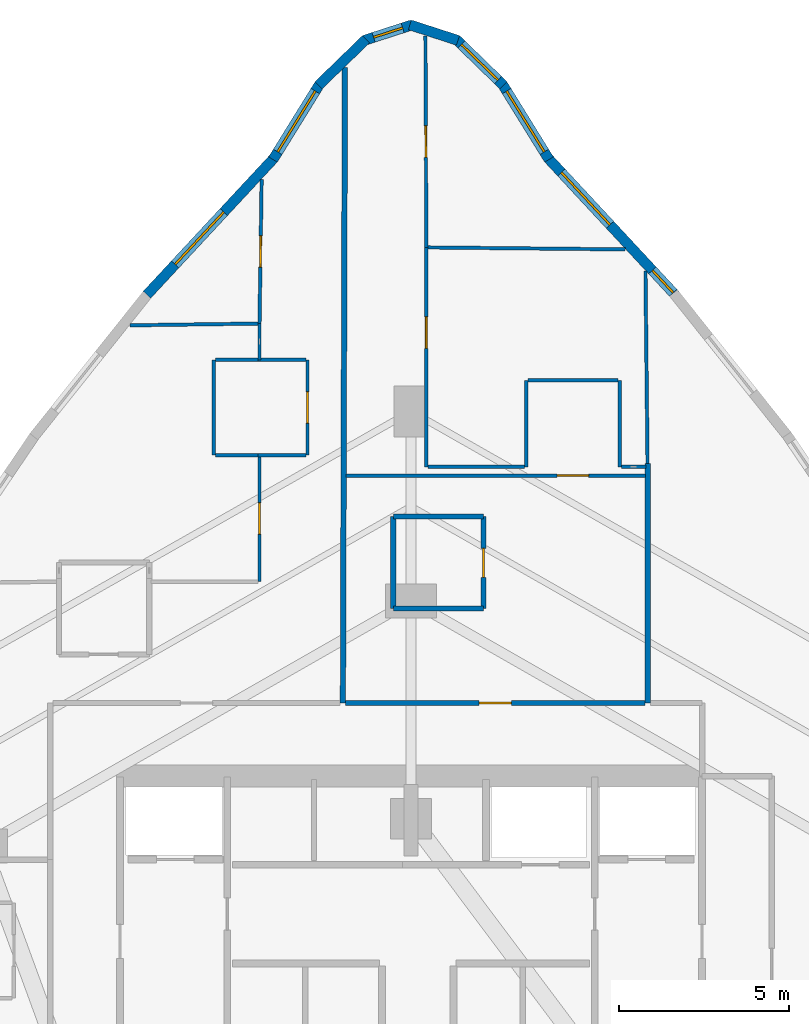
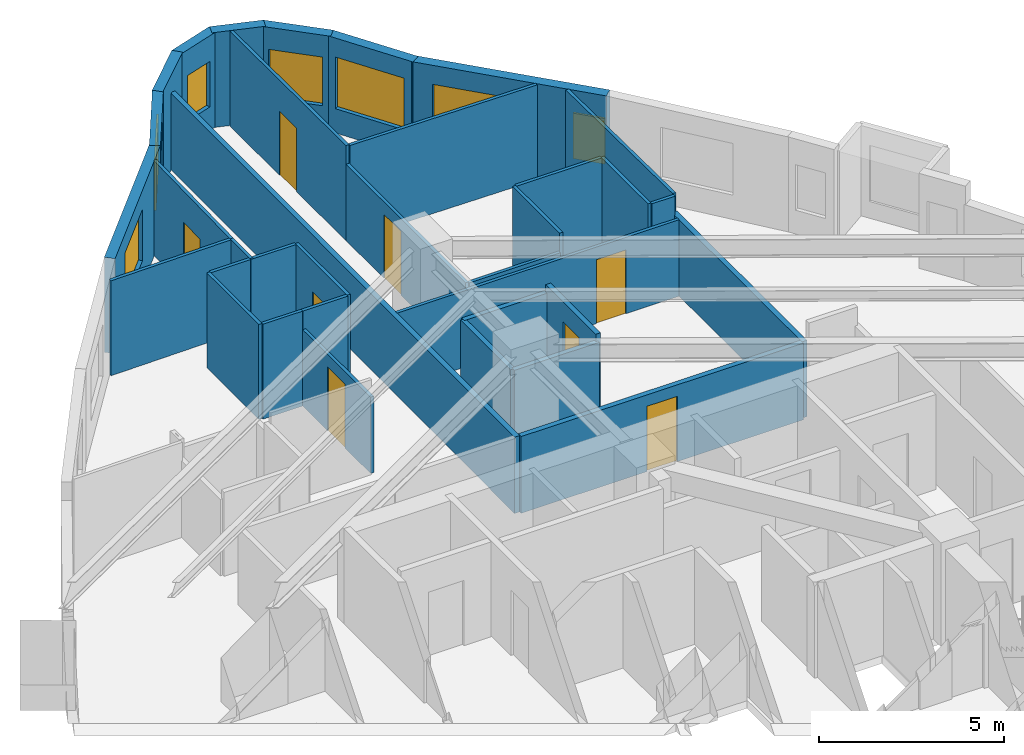
# One storey, part 10 of 12: 35 walls, 8 doors, 7 windows, 15 openings.
"""IFC4 building model written with IfcOpenShell, lengths in metres."""

from ifc_helpers import new_model, si_unit, direction, frame, frame_2d, origin, place, context, subcontext, project, spatial, rectangle, extrude, material, layer, layer_set, type_object, element, fill, save


model = new_model("IFC4")

# Units and contexts
model_context = context("Model", 3, precision=1e-05, world=origin(), true_north=direction((0.0, 1.0)))
body_context = subcontext(model_context, "Body", "Model", "MODEL_VIEW")
ifc_project = project(units=[si_unit("LENGTHUNIT", "METRE"), si_unit("AREAUNIT", "SQUARE_METRE"), si_unit("VOLUMEUNIT", "CUBIC_METRE"), si_unit("PLANEANGLEUNIT", "RADIAN"), si_unit("MASSUNIT", "GRAM", prefix="KILO")], contexts=[model_context])

# Site, building, storey
site_placement = place(None, origin())
site = spatial("IfcSite", under=ifc_project, at=site_placement, CompositionType="ELEMENT")
building_placement = place(site_placement, origin())
building = spatial("IfcBuilding", under=site, at=building_placement, Name="Miruveldt Soraemaru", CompositionType="ELEMENT")
storey_placement = place(building_placement, frame((0.0, 0.0, 56.39990234375)))
storey = spatial("IfcBuildingStorey", under=building, at=storey_placement, Name="L15", CompositionType="ELEMENT", Elevation=56.39990234375)

# Wall, opening, window
ifc_material_1 = material(Name="Precast concrete C45/55 (45 MPa)", Category="concrete")
ifc_layer_1 = layer(ifc_material_1, 0.300048828125, Name="Precast concrete C45/55 (45 MPa)", Category="concrete")
ifc_layer_set_1 = layer_set([ifc_layer_1], Name="Precast concrete C45/55 (45 MPa)")
wall_type_1 = type_object("IfcWallType", Name="WALL-EXT-PC300", PredefinedType="SOLIDWALL", material=ifc_layer_set_1)
wall_1_placement = place(storey_placement, frame((48.05517578125, 70.5654296875, 0.0), z_axis=(0.0, 0.0, 1.0), x_axis=(-0.526101929404, 0.850421518941, 0.0)))
wall_1 = element("IfcWall", 1, at=wall_1_placement, inside=storey, type_object=wall_type_1, Name="L15 Precast Concrete Facade Wall 1", PredefinedType="SOLIDWALL", context=body_context, shape_type="SweptSolid", body=[
    extrude(rectangle(XDim=2.6279296875, YDim=0.300048828125, at=frame_2d((1.31396484375, 0.0))), origin(), (0.0, 0.0, 1.0), 3.125),
])
opening_1_placement = place(wall_1_placement, frame((0.263916015625, 0.0, 0.800048828125)))
opening_1 = element("IfcOpeningElement", 2, at=opening_1_placement, cuts=wall_1, Name="Opening WN-1", PredefinedType="OPENING", context=body_context, shape_type="SweptSolid", body=[
    extrude(rectangle(XDim=2.10009765625, YDim=1.699951171875, at=frame_2d((1.050048828125, 0.85009765625))), frame((0.0, 0.16015625, 0.0), z_axis=(0.0, -1.0, 0.0), x_axis=(1.0, 0.0, 0.0)), (0.0, 0.0, 1.0), 0.320068359375),
])
ifc_material_2 = material(Name="Triple low-e insulated glazing", Category="glass")
window_type_1 = type_object("IfcWindowType", Name="WIN-PUNCH-2100x1700", PartitioningType="SINGLE_PANEL", PredefinedType="WINDOW", material=ifc_material_2)
window_1_placement = place(opening_1_placement, origin())
window_1 = element("IfcWindow", 3, at=window_1_placement, inside=storey, type_object=window_type_1, Name="L15 Punched Triple-Glazed Window 01.1", OverallHeight=1.699951171875, OverallWidth=2.10009765625, PartitioningType="SINGLE_PANEL", PredefinedType="WINDOW", context=body_context, shape_type="SweptSolid", body=[
    extrude(rectangle(XDim=2.10009765625, YDim=1.699951171875, at=frame_2d((1.050048828125, 0.85009765625))), frame((0.0, 0.030029296875, 0.0), z_axis=(0.0, -1.0, 0.0), x_axis=(1.0, 0.0, 0.0)), (0.0, 0.0, 1.0), 0.06005859375),
])
fill(opening_1, window_1)

wall_2_placement = place(storey_placement, frame((46.71630859375, 72.74609375, 0.0), z_axis=(0.0, 0.0, 1.0), x_axis=(-0.717822426914, 0.696226230057, 0.0)))
wall_2 = element("IfcWall", 4, at=wall_2_placement, inside=storey, type_object=wall_type_1, Name="L15 Precast Concrete Facade Wall 2", PredefinedType="SOLIDWALL", context=body_context, shape_type="SweptSolid", body=[
    extrude(rectangle(XDim=1.9443359375, YDim=0.300048828125, at=frame_2d((0.97216796875, 0.0))), origin(), (0.0, 0.0, 1.0), 3.125),
])
opening_2_placement = place(wall_2_placement, frame((0.221923828125, 0.0, 0.800048828125)))
opening_2 = element("IfcOpeningElement", 5, at=opening_2_placement, cuts=wall_2, Name="Opening WN-3", PredefinedType="OPENING", context=body_context, shape_type="SweptSolid", body=[
    extrude(rectangle(XDim=1.5, YDim=1.60009765625, at=frame_2d((0.75, 0.800048828125))), frame((0.0, 0.16015625, 0.0), z_axis=(0.0, -1.0, 0.0), x_axis=(1.0, 0.0, 0.0)), (0.0, 0.0, 1.0), 0.320068359375),
])
window_type_2 = type_object("IfcWindowType", Name="WIN-PUNCH-1500x1600", PartitioningType="SINGLE_PANEL", PredefinedType="WINDOW", material=ifc_material_2)
window_2_placement = place(opening_2_placement, origin())
window_2 = element("IfcWindow", 6, at=window_2_placement, inside=storey, type_object=window_type_2, Name="L15 Punched Triple-Glazed Window 02.1", OverallHeight=1.60009765625, OverallWidth=1.5, PartitioningType="SINGLE_PANEL", PredefinedType="WINDOW", context=body_context, shape_type="SweptSolid", body=[
    extrude(rectangle(XDim=1.5, YDim=1.60009765625, at=frame_2d((0.75, 0.800048828125))), frame((0.0, 0.030029296875, 0.0), z_axis=(0.0, -1.0, 0.0), x_axis=(1.0, 0.0, 0.0)), (0.0, 0.0, 1.0), 0.06005859375),
])
fill(opening_2, window_2)

# Wall
wall_3_placement = place(storey_placement, frame((45.37890625, 74.064697265625, 0.0), z_axis=(0.0, 0.0, 1.0), x_axis=(-0.951506849272, 0.30762756019, 0.0)))
element("IfcWall", 7, at=wall_3_placement, inside=storey, type_object=wall_type_1, Name="L15 Precast Concrete Facade Wall 3", PredefinedType="SOLIDWALL", context=body_context, shape_type="SweptSolid", body=[
    extrude(rectangle(XDim=1.484130859375, YDim=0.300048828125, at=frame_2d((0.7421875, 0.0))), origin(), (0.0, 0.0, 1.0), 3.125),
])

# Wall, opening, window
wall_4_placement = place(storey_placement, frame((44.033203125, 74.521240234375, 0.0), z_axis=(0.0, 0.0, 1.0), x_axis=(-0.951506849272, -0.30762756019, 0.0)))
wall_4 = element("IfcWall", 8, at=wall_4_placement, inside=storey, type_object=wall_type_1, Name="L15 Precast Concrete Facade Wall 4", PredefinedType="SOLIDWALL", context=body_context, shape_type="SweptSolid", body=[
    extrude(rectangle(XDim=1.484130859375, YDim=0.300048828125, at=frame_2d((0.7421875, 0.0))), origin(), (0.0, 0.0, 1.0), 3.125),
])
opening_3_placement = place(wall_4_placement, frame((0.2919921875, 0.0, 0.780029296875)))
opening_3 = element("IfcOpeningElement", 9, at=opening_3_placement, cuts=wall_4, Name="Opening WN-7", PredefinedType="OPENING", context=body_context, shape_type="SweptSolid", body=[
    extrude(rectangle(XDim=0.89990234375, YDim=1.5, at=frame_2d((0.449951171875, 0.75))), frame((0.0, 0.16015625, 0.0), z_axis=(0.0, -1.0, 0.0), x_axis=(1.0, 0.0, 0.0)), (0.0, 0.0, 1.0), 0.320068359375),
])
window_type_3 = type_object("IfcWindowType", Name="WIN-PUNCH-900x1500", PartitioningType="SINGLE_PANEL", PredefinedType="WINDOW", material=ifc_material_2)
window_3_placement = place(opening_3_placement, origin())
window_3 = element("IfcWindow", 10, at=window_3_placement, inside=storey, type_object=window_type_3, Name="L15 Punched Triple-Glazed Window 04.1", OverallHeight=1.5, OverallWidth=0.89990234375, PartitioningType="SINGLE_PANEL", PredefinedType="WINDOW", context=body_context, shape_type="SweptSolid", body=[
    extrude(rectangle(XDim=0.89990234375, YDim=1.5, at=frame_2d((0.449951171875, 0.75))), frame((0.0, 0.030029296875, 0.0), z_axis=(0.0, -1.0, 0.0), x_axis=(1.0, 0.0, 0.0)), (0.0, 0.0, 1.0), 0.06005859375),
])
fill(opening_3, window_3)

# Wall
wall_5_placement = place(storey_placement, frame((42.679443359375, 74.099853515625, 0.0), z_axis=(0.0, 0.0, 1.0), x_axis=(-0.717822426914, -0.696226230057, 0.0)))
element("IfcWall", 11, at=wall_5_placement, inside=storey, type_object=wall_type_1, Name="L15 Precast Concrete Facade Wall 5", PredefinedType="SOLIDWALL", context=body_context, shape_type="SweptSolid", body=[
    extrude(rectangle(XDim=1.9443359375, YDim=0.300048828125, at=frame_2d((0.97216796875, 0.0))), origin(), (0.0, 0.0, 1.0), 3.125),
])

# Wall, opening, window
wall_6_placement = place(storey_placement, frame((41.327392578125, 72.80029296875, 0.0), z_axis=(0.0, 0.0, 1.0), x_axis=(-0.526101929404, -0.850421518941, 0.0)))
wall_6 = element("IfcWall", 12, at=wall_6_placement, inside=storey, type_object=wall_type_1, Name="L15 Precast Concrete Facade Wall 6", PredefinedType="SOLIDWALL", context=body_context, shape_type="SweptSolid", body=[
    extrude(rectangle(XDim=2.6279296875, YDim=0.300048828125, at=frame_2d((1.31396484375, 0.0))), origin(), (0.0, 0.0, 1.0), 3.125),
])
opening_4_placement = place(wall_6_placement, frame((0.263916015625, 0.0, 0.800048828125)))
opening_4 = element("IfcOpeningElement", 13, at=opening_4_placement, cuts=wall_6, Name="Opening WN-1", PredefinedType="OPENING", context=body_context, shape_type="SweptSolid", body=[
    extrude(rectangle(XDim=2.10009765625, YDim=1.699951171875, at=frame_2d((1.050048828125, 0.85009765625))), frame((0.0, 0.16015625, 0.0), z_axis=(0.0, -1.0, 0.0), x_axis=(1.0, 0.0, 0.0)), (0.0, 0.0, 1.0), 0.320068359375),
])
window_4_placement = place(opening_4_placement, origin())
window_4 = element("IfcWindow", 14, at=window_4_placement, inside=storey, type_object=window_type_1, Name="L15 Punched Triple-Glazed Window 06.1", OverallHeight=1.699951171875, OverallWidth=2.10009765625, PartitioningType="SINGLE_PANEL", PredefinedType="WINDOW", context=body_context, shape_type="SweptSolid", body=[
    extrude(rectangle(XDim=2.10009765625, YDim=1.699951171875, at=frame_2d((1.050048828125, 0.85009765625))), frame((0.0, 0.030029296875, 0.0), z_axis=(0.0, -1.0, 0.0), x_axis=(1.0, 0.0, 0.0)), (0.0, 0.0, 1.0), 0.06005859375),
])
fill(opening_4, window_4)

wall_7_placement = place(storey_placement, frame((39.987060546875, 70.620849609375, 0.0), z_axis=(0.0, 0.0, 1.0), x_axis=(-0.680888604858, -0.732386993176, 0.0)))
wall_7 = element("IfcWall", 15, at=wall_7_placement, inside=storey, type_object=wall_type_1, Name="L15 Precast Concrete Facade Wall 7", PredefinedType="SOLIDWALL", context=body_context, shape_type="SweptSolid", body=[
    extrude(rectangle(XDim=5.499267578125, YDim=0.300048828125, at=frame_2d((2.74951171875, 0.0))), origin(), (0.0, 0.0, 1.0), 3.125),
])
opening_5_placement = place(wall_7_placement, frame((2.18310546875, 0.0, 0.800048828125)))
opening_5 = element("IfcOpeningElement", 16, at=opening_5_placement, cuts=wall_7, Name="Opening WN-1", PredefinedType="OPENING", context=body_context, shape_type="SweptSolid", body=[
    extrude(rectangle(XDim=2.10009765625, YDim=1.699951171875, at=frame_2d((1.050048828125, 0.85009765625))), frame((0.0, 0.16015625, 0.0), z_axis=(0.0, -1.0, 0.0), x_axis=(1.0, 0.0, 0.0)), (0.0, 0.0, 1.0), 0.320068359375),
])
window_5_placement = place(opening_5_placement, origin())
window_5 = element("IfcWindow", 17, at=window_5_placement, inside=storey, type_object=window_type_1, Name="L15 Punched Triple-Glazed Window 07.1", OverallHeight=1.699951171875, OverallWidth=2.10009765625, PartitioningType="SINGLE_PANEL", PredefinedType="WINDOW", context=body_context, shape_type="SweptSolid", body=[
    extrude(rectangle(XDim=2.10009765625, YDim=1.699951171875, at=frame_2d((1.050048828125, 0.85009765625))), frame((0.0, 0.030029296875, 0.0), z_axis=(0.0, -1.0, 0.0), x_axis=(1.0, 0.0, 0.0)), (0.0, 0.0, 1.0), 0.06005859375),
])
fill(opening_5, window_5)

# Wall, openings, windows
wall_8_placement = place(storey_placement, frame((51.75732421875, 66.59326171875, 0.0), z_axis=(0.0, 0.0, 1.0), x_axis=(-0.680888604858, 0.732386993176, 0.0)))
wall_8 = element("IfcWall", 18, at=wall_8_placement, inside=storey, type_object=wall_type_1, Name="L15 Precast Concrete Facade Wall 42", PredefinedType="SOLIDWALL", context=body_context, shape_type="SweptSolid", body=[
    extrude(rectangle(XDim=5.499267578125, YDim=0.300048828125, at=frame_2d((2.74951171875, 0.0))), origin(), (0.0, 0.0, 1.0), 3.125),
])
opening_6_placement = place(wall_8_placement, frame((2.805908203125, 0.0, 0.800048828125)))
opening_6 = element("IfcOpeningElement", 19, at=opening_6_placement, cuts=wall_8, Name="Opening WN-1", PredefinedType="OPENING", context=body_context, shape_type="SweptSolid", body=[
    extrude(rectangle(XDim=2.10009765625, YDim=1.699951171875, at=frame_2d((1.050048828125, 0.85009765625))), frame((0.0, 0.16015625, 0.0), z_axis=(0.0, -1.0, 0.0), x_axis=(1.0, 0.0, 0.0)), (0.0, 0.0, 1.0), 0.320068359375),
])
opening_7_placement = place(wall_8_placement, frame((0.080078125, 0.0, 0.780029296875)))
opening_7 = element("IfcOpeningElement", 20, at=opening_7_placement, cuts=wall_8, Name="Opening WN-7", PredefinedType="OPENING", context=body_context, shape_type="SweptSolid", body=[
    extrude(rectangle(XDim=0.89990234375, YDim=1.5, at=frame_2d((0.449951171875, 0.75))), frame((0.0, 0.16015625, 0.0), z_axis=(0.0, -1.0, 0.0), x_axis=(1.0, 0.0, 0.0)), (0.0, 0.0, 1.0), 0.320068359375),
])
window_6_placement = place(opening_6_placement, origin())
window_6 = element("IfcWindow", 21, at=window_6_placement, inside=storey, type_object=window_type_1, Name="L15 Punched Triple-Glazed Window 42.1", OverallHeight=1.699951171875, OverallWidth=2.10009765625, PartitioningType="SINGLE_PANEL", PredefinedType="WINDOW", context=body_context, shape_type="SweptSolid", body=[
    extrude(rectangle(XDim=2.10009765625, YDim=1.699951171875, at=frame_2d((1.050048828125, 0.85009765625))), frame((0.0, 0.030029296875, 0.0), z_axis=(0.0, -1.0, 0.0), x_axis=(1.0, 0.0, 0.0)), (0.0, 0.0, 1.0), 0.06005859375),
])
fill(opening_6, window_6)
window_7_placement = place(opening_7_placement, origin())
window_7 = element("IfcWindow", 22, at=window_7_placement, inside=storey, type_object=window_type_3, Name="L15 Bedroom Casement Window 1", OverallHeight=1.5, OverallWidth=0.89990234375, PartitioningType="SINGLE_PANEL", PredefinedType="WINDOW", context=body_context, shape_type="SweptSolid", body=[
    extrude(rectangle(XDim=0.89990234375, YDim=1.5, at=frame_2d((0.449951171875, 0.75))), frame((0.0, 0.030029296875, 0.0), z_axis=(0.0, -1.0, 0.0), x_axis=(1.0, 0.0, 0.0)), (0.0, 0.0, 1.0), 0.06005859375),
])
fill(opening_7, window_7)

# Wall, opening, door
ifc_material_3 = material(Name="Gypsum plasterboard lining", Category="gypsum")
ifc_layer_2 = layer(ifc_material_3, 0.10009765625, Name="Gypsum plasterboard lining", Category="gypsum")
ifc_layer_set_2 = layer_set([ifc_layer_2], Name="Gypsum plasterboard lining")
wall_type_2 = type_object("IfcWallType", Name="WALL-INT-P100", PredefinedType="PARTITIONING", material=ifc_layer_set_2)
wall_9_placement = place(storey_placement, frame((42.086181640625, 61.280029296875, 0.0), z_axis=(0.0, 0.0, 1.0), x_axis=(1.0, 0.0, 0.0)))
wall_9 = element("IfcWall", 23, at=wall_9_placement, inside=storey, type_object=wall_type_2, Name="L15 Partition Wall 36", PredefinedType="PARTITIONING", context=body_context, shape_type="SweptSolid", body=[
    extrude(rectangle(XDim=8.798828125, YDim=0.10009765625, at=frame_2d((4.3994140625, 0.0))), origin(), (0.0, 0.0, 1.0), 2.51318359375),
])
opening_8_placement = place(wall_9_placement, frame((6.208984375, 0.0, 0.0)))
opening_8 = element("IfcOpeningElement", 24, at=opening_8_placement, cuts=wall_9, Name="Opening D3A", PredefinedType="OPENING", context=body_context, shape_type="SweptSolid", body=[
    extrude(rectangle(XDim=0.919921875, YDim=2.10009765625, at=frame_2d((0.4599609375, 1.050048828125))), frame((0.0, 0.06005859375, 0.0), z_axis=(0.0, -1.0, 0.0), x_axis=(1.0, 0.0, 0.0)), (0.0, 0.0, 1.0), 0.1201171875),
])
ifc_material_4 = material(Name="Anodised aluminium EN AW-6063 T6", Category="aluminium")
door_type_1 = type_object("IfcDoorType", Name="DOOR-INT-920", OperationType="NOTDEFINED", PredefinedType="DOOR", material=ifc_material_4)
door_1_placement = place(opening_8_placement, origin())
door_1 = element("IfcDoor", 25, at=door_1_placement, inside=storey, type_object=door_type_1, Name="L15 Unit 1502 KIT Door", OperationType="SINGLE_SWING_RIGHT", OverallHeight=2.10009765625, OverallWidth=0.919921875, PredefinedType="DOOR", context=body_context, shape_type="SweptSolid", body=[
    extrude(rectangle(XDim=0.919921875, YDim=2.10009765625, at=frame_2d((0.4599609375, 1.050048828125))), frame((0.0, 0.02490234375, 0.0), z_axis=(0.0, -1.0, 0.0), x_axis=(1.0, 0.0, 0.0)), (0.0, 0.0, 1.0), 0.050048828125),
])
fill(opening_8, door_1)

wall_10_placement = place(storey_placement, frame((44.449951171875, 61.5390625, 0.0), z_axis=(0.0, 0.0, 1.0), x_axis=(0.0, 1.0, 0.0)))
wall_10 = element("IfcWall", 26, at=wall_10_placement, inside=storey, type_object=wall_type_2, Name="L15 Partition Wall 39", PredefinedType="PARTITIONING", context=body_context, shape_type="SweptSolid", body=[
    extrude(rectangle(XDim=6.44384765625, YDim=0.10009765625, at=frame_2d((3.221923828125, 0.0))), origin(), (0.0, 0.0, 1.0), 2.51318359375),
])
opening_9_placement = place(wall_10_placement, frame((3.48193359375, 0.0, 0.0)))
opening_9 = element("IfcOpeningElement", 27, at=opening_9_placement, cuts=wall_10, Name="Opening D3A", PredefinedType="OPENING", context=body_context, shape_type="SweptSolid", body=[
    extrude(rectangle(XDim=0.919921875, YDim=2.10009765625, at=frame_2d((0.4599609375, 1.050048828125))), frame((0.0, 0.06005859375, 0.0), z_axis=(0.0, -1.0, 0.0), x_axis=(1.0, 0.0, 0.0)), (0.0, 0.0, 1.0), 0.1201171875),
])
door_2_placement = place(opening_9_placement, origin())
door_2 = element("IfcDoor", 28, at=door_2_placement, inside=storey, type_object=door_type_1, Name="L15 Unit 1502 BD1 Door", OperationType="SINGLE_SWING_LEFT", OverallHeight=2.10009765625, OverallWidth=0.919921875, PredefinedType="DOOR", context=body_context, shape_type="SweptSolid", body=[
    extrude(rectangle(XDim=0.919921875, YDim=2.10009765625, at=frame_2d((0.4599609375, 1.050048828125))), frame((0.0, 0.02490234375, 0.0), z_axis=(0.0, -1.0, 0.0), x_axis=(1.0, 0.0, 0.0)), (0.0, 0.0, 1.0), 0.050048828125),
])
fill(opening_9, door_2)

wall_11_placement = place(storey_placement, frame((44.449951171875, 67.98291015625, 0.0), z_axis=(0.0, 0.0, 1.0), x_axis=(-0.004162540023, 0.999991336593, 0.0)))
wall_11 = element("IfcWall", 29, at=wall_11_placement, inside=storey, type_object=wall_type_2, Name="L15 Partition Wall 40", PredefinedType="PARTITIONING", context=body_context, shape_type="SweptSolid", body=[
    extrude(rectangle(XDim=6.217041015625, YDim=0.10009765625, at=frame_2d((3.1083984375, 0.0))), origin(), (0.0, 0.0, 1.0), 3.125),
])
opening_10_placement = place(wall_11_placement, frame((2.64892578125, 0.0, 0.0)))
opening_10 = element("IfcOpeningElement", 30, at=opening_10_placement, cuts=wall_11, Name="Opening D3A", PredefinedType="OPENING", context=body_context, shape_type="SweptSolid", body=[
    extrude(rectangle(XDim=0.919921875, YDim=2.10009765625, at=frame_2d((0.4599609375, 1.050048828125))), frame((0.0, 0.06005859375, 0.0), z_axis=(0.0, -1.0, 0.0), x_axis=(1.0, 0.0, 0.0)), (0.0, 0.0, 1.0), 0.1201171875),
])
door_3_placement = place(opening_10_placement, origin())
door_3 = element("IfcDoor", 31, at=door_3_placement, inside=storey, type_object=door_type_1, Name="L15 Unit 1502 EXT Door", OperationType="SINGLE_SWING_RIGHT", OverallHeight=2.10009765625, OverallWidth=0.919921875, PredefinedType="DOOR", context=body_context, shape_type="SweptSolid", body=[
    extrude(rectangle(XDim=0.919921875, YDim=2.10009765625, at=frame_2d((0.4599609375, 1.050048828125))), frame((0.0, 0.02490234375, 0.0), z_axis=(0.0, -1.0, 0.0), x_axis=(1.0, 0.0, 0.0)), (0.0, 0.0, 1.0), 0.050048828125),
])
fill(opening_10, door_3)

wall_12_placement = place(storey_placement, frame((39.612060546875, 69.97509765625, 0.0), z_axis=(0.0, 0.0, 1.0), x_axis=(-0.014665243372, -0.999892459536, 0.0)))
wall_12 = element("IfcWall", 32, at=wall_12_placement, inside=storey, type_object=wall_type_2, Name="L15 Partition Wall 22", PredefinedType="PARTITIONING", context=body_context, shape_type="SweptSolid", body=[
    extrude(rectangle(XDim=4.228515625, YDim=0.10009765625, at=frame_2d((2.1142578125, 0.0))), origin(), (0.0, 0.0, 1.0), 3.125),
])
opening_11_placement = place(wall_12_placement, frame((1.654052734375, 0.0, 0.0)))
opening_11 = element("IfcOpeningElement", 33, at=opening_11_placement, cuts=wall_12, Name="Opening D3A", PredefinedType="OPENING", context=body_context, shape_type="SweptSolid", body=[
    extrude(rectangle(XDim=0.919921875, YDim=2.10009765625, at=frame_2d((0.4599609375, 1.050048828125))), frame((0.0, 0.06005859375, 0.0), z_axis=(0.0, -1.0, 0.0), x_axis=(1.0, 0.0, 0.0)), (0.0, 0.0, 1.0), 0.1201171875),
])
door_4_placement = place(opening_11_placement, origin())
door_4 = element("IfcDoor", 34, at=door_4_placement, inside=storey, type_object=door_type_1, Name="L15 Unit 1501 BD2 Door", OperationType="SINGLE_SWING_LEFT", OverallHeight=2.10009765625, OverallWidth=0.919921875, PredefinedType="DOOR", context=body_context, shape_type="SweptSolid", body=[
    extrude(rectangle(XDim=0.919921875, YDim=2.10009765625, at=frame_2d((0.4599609375, 1.050048828125))), frame((0.0, 0.02490234375, 0.0), z_axis=(0.0, -1.0, 0.0), x_axis=(1.0, 0.0, 0.0)), (0.0, 0.0, 1.0), 0.050048828125),
])
fill(opening_11, door_4)

wall_13_placement = place(storey_placement, frame((39.550048828125, 61.8798828125, 0.0), z_axis=(0.0, 0.0, 1.0), x_axis=(0.0, -1.0, 0.0)))
wall_13 = element("IfcWall", 35, at=wall_13_placement, inside=storey, type_object=wall_type_2, Name="L15 Partition Wall 19", PredefinedType="PARTITIONING", context=body_context, shape_type="SweptSolid", body=[
    extrude(rectangle(XDim=3.71484375, YDim=0.10009765625, at=frame_2d((1.857421875, 0.0))), origin(), (0.0, 0.0, 1.0), 2.51318359375),
])
opening_12_placement = place(wall_13_placement, frame((1.39794921875, 0.0, 0.0)))
opening_12 = element("IfcOpeningElement", 36, at=opening_12_placement, cuts=wall_13, Name="Opening D3A", PredefinedType="OPENING", context=body_context, shape_type="SweptSolid", body=[
    extrude(rectangle(XDim=0.919921875, YDim=2.10009765625, at=frame_2d((0.4599609375, 1.050048828125))), frame((0.0, 0.06005859375, 0.0), z_axis=(0.0, -1.0, 0.0), x_axis=(1.0, 0.0, 0.0)), (0.0, 0.0, 1.0), 0.1201171875),
])
door_5_placement = place(opening_12_placement, origin())
door_5 = element("IfcDoor", 37, at=door_5_placement, inside=storey, type_object=door_type_1, Name="L15 Unit 1501 BD1 Door", OperationType="SINGLE_SWING_RIGHT", OverallHeight=2.10009765625, OverallWidth=0.919921875, PredefinedType="DOOR", context=body_context, shape_type="SweptSolid", body=[
    extrude(rectangle(XDim=0.919921875, YDim=2.10009765625, at=frame_2d((0.4599609375, 1.050048828125))), frame((0.0, 0.02490234375, 0.0), z_axis=(0.0, -1.0, 0.0), x_axis=(1.0, 0.0, 0.0)), (0.0, 0.0, 1.0), 0.050048828125),
])
fill(opening_12, door_5)

wall_14_placement = place(storey_placement, frame((40.9609375, 61.8798828125, 0.0), z_axis=(0.0, 0.0, 1.0), x_axis=(0.0, 1.0, 0.0)))
wall_14 = element("IfcWall", 38, at=wall_14_placement, inside=storey, type_object=wall_type_2, Name="L15 Partition Wall 15", PredefinedType="PARTITIONING", context=body_context, shape_type="SweptSolid", body=[
    extrude(rectangle(XDim=2.800048828125, YDim=0.10009765625, at=frame_2d((1.39990234375, 0.0))), origin(), (0.0, 0.0, 1.0), 3.125),
])
opening_13_placement = place(wall_14_placement, frame((0.93994140625, 0.0, 0.0)))
opening_13 = element("IfcOpeningElement", 39, at=opening_13_placement, cuts=wall_14, Name="Opening D3A", PredefinedType="OPENING", context=body_context, shape_type="SweptSolid", body=[
    extrude(rectangle(XDim=0.919921875, YDim=2.10009765625, at=frame_2d((0.4599609375, 1.050048828125))), frame((0.0, 0.06005859375, 0.0), z_axis=(0.0, -1.0, 0.0), x_axis=(1.0, 0.0, 0.0)), (0.0, 0.0, 1.0), 0.1201171875),
])
door_6_placement = place(opening_13_placement, origin())
door_6 = element("IfcDoor", 40, at=door_6_placement, inside=storey, type_object=door_type_1, Name="L15 Unit 1501 KIT Door", OperationType="SINGLE_SWING_LEFT", OverallHeight=2.10009765625, OverallWidth=0.919921875, PredefinedType="DOOR", context=body_context, shape_type="SweptSolid", body=[
    extrude(rectangle(XDim=0.919921875, YDim=2.10009765625, at=frame_2d((0.4599609375, 1.050048828125))), frame((0.0, 0.02490234375, 0.0), z_axis=(0.0, -1.0, 0.0), x_axis=(1.0, 0.0, 0.0)), (0.0, 0.0, 1.0), 0.050048828125),
])
fill(opening_13, door_6)

# Walls
wall_15_placement = place(storey_placement, frame((50.2939453125, 67.925048828125, 0.0), z_axis=(0.0, 0.0, 1.0), x_axis=(-0.999950138478, 0.009986018154, 0.0)))
element("IfcWall", 41, at=wall_15_placement, inside=storey, type_object=wall_type_2, Name="L15 Partition Wall 45", PredefinedType="PARTITIONING", context=body_context, shape_type="SweptSolid", body=[
    extrude(rectangle(XDim=5.794189453125, YDim=0.10009765625, at=frame_2d((2.89697265625, 0.0))), origin(), (0.0, 0.0, 1.0), 3.125),
])
wall_16_placement = place(storey_placement, frame((50.887939453125, 67.285888671875, 0.0), z_axis=(0.0, 0.0, 1.0), x_axis=(0.010788720815, -0.999941800058, 0.0)))
element("IfcWall", 42, at=wall_16_placement, inside=storey, type_object=wall_type_2, Name="L15 Partition Wall 97", PredefinedType="PARTITIONING", context=body_context, shape_type="SweptSolid", body=[
    extrude(rectangle(XDim=5.6572265625, YDim=0.10009765625, at=frame_2d((2.82861328125, 0.0))), origin(), (0.0, 0.0, 1.0), 3.125),
])
wall_17_placement = place(storey_placement, frame((39.5, 65.74609375, 0.0), z_axis=(0.0, 0.0, 1.0), x_axis=(-0.999904375523, -0.013828948249, 0.0)))
element("IfcWall", 43, at=wall_17_placement, inside=storey, type_object=wall_type_2, Name="L15 Partition Wall 31", PredefinedType="PARTITIONING", context=body_context, shape_type="SweptSolid", body=[
    extrude(rectangle(XDim=3.76025390625, YDim=0.10009765625, at=frame_2d((1.880126953125, 0.0))), origin(), (0.0, 0.0, 1.0), 3.125),
])
wall_18_placement = place(storey_placement, frame((47.330078125, 61.5390625, 0.0), z_axis=(0.0, 0.0, 1.0), x_axis=(-1.0, 0.0, 0.0)))
element("IfcWall", 44, at=wall_18_placement, inside=storey, type_object=wall_type_2, Name="L15 Partition Wall 38", PredefinedType="PARTITIONING", context=body_context, shape_type="SweptSolid", body=[
    extrude(rectangle(XDim=2.830078125, YDim=0.10009765625, at=frame_2d((1.4150390625, 0.0))), origin(), (0.0, 0.0, 1.0), 2.51318359375),
])
wall_19_placement = place(storey_placement, frame((38.2109375, 64.679931640625, 0.0), z_axis=(0.0, 0.0, 1.0), x_axis=(0.0, -1.0, 0.0)))
element("IfcWall", 45, at=wall_19_placement, inside=storey, type_object=wall_type_2, Name="L15 Partition Wall 29", PredefinedType="PARTITIONING", context=body_context, shape_type="SweptSolid", body=[
    extrude(rectangle(XDim=2.800048828125, YDim=0.10009765625, at=frame_2d((1.39990234375, 0.0))), origin(), (0.0, 0.0, 1.0), 3.125),
])
wall_20_placement = place(storey_placement, frame((50.080078125, 64.080078125, 0.0), z_axis=(0.0, 0.0, 1.0), x_axis=(-1.0, 0.0, 0.0)))
element("IfcWall", 46, at=wall_20_placement, inside=storey, type_object=wall_type_2, Name="L15 Partition Wall 43", PredefinedType="PARTITIONING", context=body_context, shape_type="SweptSolid", body=[
    extrude(rectangle(XDim=2.650146484375, YDim=0.10009765625, at=frame_2d((1.3251953125, 0.0))), origin(), (0.0, 0.0, 1.0), 3.125),
])
for number, where, z_axis, x_axis, name in (
    (47, (50.1298828125, 61.5390625, 0.0), (0.0, 0.0, 1.0), (0.0, 1.0, 0.0), "L15 Partition Wall 42"),
    (48, (47.3798828125, 64.080078125, 0.0), (0.0, 0.0, 1.0), (0.0, -1.0, 0.0), "L15 Partition Wall 44"),
):
    element("IfcWall", number, at=place(storey_placement, frame(where, z_axis=z_axis, x_axis=x_axis)), inside=storey, type_object=wall_type_2, Name=name, PredefinedType="PARTITIONING", context=body_context, shape_type="SweptSolid", body=[
        extrude(rectangle(XDim=2.541015625, YDim=0.10009765625, at=frame_2d((1.2705078125, 0.0))), origin(), (0.0, 0.0, 1.0), 3.125),
    ])
for number, where, z_axis, x_axis, name in (
    (49, (40.910888671875, 64.679931640625, 0.0), (0.0, 0.0, 1.0), (-1.0, 0.0, 0.0), "L15 Partition Wall 16"),
    (50, (39.510009765625, 61.8798828125, 0.0), (0.0, 0.0, 1.0), (1.0, 0.0, 0.0), "L15 Partition Wall 17"),
):
    element("IfcWall", number, at=place(storey_placement, frame(where, z_axis=z_axis, x_axis=x_axis)), inside=storey, type_object=wall_type_2, Name=name, PredefinedType="PARTITIONING", context=body_context, shape_type="SweptSolid", body=[
        extrude(rectangle(XDim=1.40087890625, YDim=0.10009765625, at=frame_2d((0.700439453125, 0.0))), origin(), (0.0, 0.0, 1.0), 3.125),
    ])
for number, where, z_axis, x_axis, name in (
    (51, (39.5, 64.679931640625, 0.0), (0.0, 0.0, 1.0), (-1.0, 0.0, 0.0), "L15 Partition Wall 28"),
    (52, (38.260986328125, 61.8798828125, 0.0), (0.0, 0.0, 1.0), (1.0, 0.0, 0.0), "L15 Partition Wall 30"),
):
    element("IfcWall", number, at=place(storey_placement, frame(where, z_axis=z_axis, x_axis=x_axis)), inside=storey, type_object=wall_type_2, Name=name, PredefinedType="PARTITIONING", context=body_context, shape_type="SweptSolid", body=[
        extrude(rectangle(XDim=1.239013671875, YDim=0.10009765625, at=frame_2d((0.61962890625, 0.0))), origin(), (0.0, 0.0, 1.0), 3.125),
    ])
wall_21_placement = place(storey_placement, frame((39.550048828125, 65.7470703125, 0.0), z_axis=(0.0, 0.0, 1.0), x_axis=(0.0, -1.0, 0.0)))
element("IfcWall", 53, at=wall_21_placement, inside=storey, type_object=wall_type_2, Name="L15 Partition Wall 18", PredefinedType="PARTITIONING", context=body_context, shape_type="SweptSolid", body=[
    extrude(rectangle(XDim=1.067138671875, YDim=0.10009765625, at=frame_2d((0.53369140625, 0.0))), origin(), (0.0, 0.0, 1.0), 3.125),
])
wall_22_placement = place(storey_placement, frame((50.89990234375, 61.5390625, 0.0), z_axis=(0.0, 0.0, 1.0), x_axis=(-1.0, 0.0, 0.0)))
element("IfcWall", 54, at=wall_22_placement, inside=storey, type_object=wall_type_2, Name="L15 Partition Wall 37", PredefinedType="PARTITIONING", context=body_context, shape_type="SweptSolid", body=[
    extrude(rectangle(XDim=0.719970703125, YDim=0.10009765625, at=frame_2d((0.35986328125, 0.0))), origin(), (0.0, 0.0, 1.0), 3.125),
])

# Wall, opening, door
ifc_layer_3 = layer(ifc_material_3, 0.14990234375, Name="Gypsum plasterboard lining", Category="gypsum")
ifc_layer_set_3 = layer_set([ifc_layer_3], Name="Gypsum plasterboard lining")
wall_type_3 = type_object("IfcWallType", Name="WALL-INT-PLUMB", PredefinedType="PLUMBINGWALL", material=ifc_layer_set_3)
wall_23_placement = place(storey_placement, frame((46.1298828125, 57.3798828125, 0.0), z_axis=(0.0, 0.0, 1.0), x_axis=(0.0, 1.0, 0.0)))
wall_23 = element("IfcWall", 55, at=wall_23_placement, inside=storey, type_object=wall_type_3, Name="L15 Partition Wall 32", PredefinedType="PLUMBINGWALL", context=body_context, shape_type="SweptSolid", body=[
    extrude(rectangle(XDim=2.7001953125, YDim=0.14990234375, at=frame_2d((1.35009765625, 0.0))), origin(), (0.0, 0.0, 1.0), 2.76318359375),
])
opening_14_placement = place(wall_23_placement, frame((0.909912109375, 0.0, 0.0)))
opening_14 = element("IfcOpeningElement", 56, at=opening_14_placement, cuts=wall_23, Name="Opening FD3", PredefinedType="OPENING", context=body_context, shape_type="SweptSolid", body=[
    extrude(rectangle(XDim=0.85009765625, YDim=2.10009765625, at=frame_2d((0.425048828125, 1.050048828125))), frame((0.0, 0.0849609375, 0.0), z_axis=(0.0, -1.0, 0.0), x_axis=(1.0, 0.0, 0.0)), (0.0, 0.0, 1.0), 0.169921875),
])
door_type_2 = type_object("IfcDoorType", Name="DOOR-FD3-850", OperationType="NOTDEFINED", PredefinedType="DOOR", material=ifc_material_4)
door_7_placement = place(opening_14_placement, origin())
door_7 = element("IfcDoor", 57, at=door_7_placement, inside=storey, type_object=door_type_2, Name="L15 Unit 1502 BTH Door", OperationType="SINGLE_SWING_LEFT", OverallHeight=2.10009765625, OverallWidth=0.85009765625, PredefinedType="DOOR", context=body_context, shape_type="SweptSolid", body=[
    extrude(rectangle(XDim=0.85009765625, YDim=2.10009765625, at=frame_2d((0.425048828125, 1.050048828125))), frame((0.0, 0.02490234375, 0.0), z_axis=(0.0, -1.0, 0.0), x_axis=(1.0, 0.0, 0.0)), (0.0, 0.0, 1.0), 0.050048828125),
])
fill(opening_14, door_7)

# Walls
wall_24_placement = place(storey_placement, frame((43.47998046875, 60.080078125, 0.0), z_axis=(0.0, 0.0, 1.0), x_axis=(0.0, -1.0, 0.0)))
element("IfcWall", 58, at=wall_24_placement, inside=storey, type_object=wall_type_3, Name="L15 Partition Wall 34", PredefinedType="PLUMBINGWALL", context=body_context, shape_type="SweptSolid", body=[
    extrude(rectangle(XDim=2.7001953125, YDim=0.14990234375, at=frame_2d((1.35009765625, 0.0))), origin(), (0.0, 0.0, 1.0), 2.525146484375),
])
for number, where, z_axis, x_axis, name in (
    (59, (46.1298828125, 60.080078125, 0.0), (0.0, 0.0, 1.0), (-1.0, 0.0, 0.0), "L15 Partition Wall 33"),
    (60, (43.47998046875, 57.3798828125, 0.0), (0.0, 0.0, 1.0), (1.0, 0.0, 0.0), "L15 Partition Wall 35"),
):
    element("IfcWall", number, at=place(storey_placement, frame(where, z_axis=z_axis, x_axis=x_axis)), inside=storey, type_object=wall_type_3, Name=name, PredefinedType="PLUMBINGWALL", context=body_context, shape_type="SweptSolid", body=[
        extrude(rectangle(XDim=2.64990234375, YDim=0.14990234375, at=frame_2d((1.324951171875, 0.0))), origin(), (0.0, 0.0, 1.0), 2.525146484375),
    ])

# Wall, opening, door
ifc_material_5 = material(Name="Concrete C40/50 (40 MPa)", Category="concrete")
ifc_layer_4 = layer(ifc_material_5, 0.159912109375, Name="Concrete C40/50 (40 MPa)", Category="concrete")
ifc_layer_set_4 = layer_set([ifc_layer_4], Name="Concrete C40/50 (40 MPa)")
wall_type_4 = type_object("IfcWallType", Name="WALL-INT-RC160", PredefinedType="SOLIDWALL", material=ifc_layer_set_4)
wall_25_placement = place(storey_placement, frame((50.8701171875, 54.60009765625, 0.0), z_axis=(0.0, 0.0, 1.0), x_axis=(-1.0, 0.0, 0.0)))
wall_25 = element("IfcWall", 61, at=wall_25_placement, inside=storey, type_object=wall_type_4, Name="L15 Partition Wall 3", PredefinedType="SOLIDWALL", context=body_context, shape_type="SweptSolid", body=[
    extrude(rectangle(XDim=8.7900390625, YDim=0.159912109375, at=frame_2d((4.39501953125, 0.0))), origin(), (0.0, 0.0, 1.0), 2.525146484375),
])
opening_15_placement = place(wall_25_placement, frame((3.919921875, 0.0, 0.0)))
opening_15 = element("IfcOpeningElement", 62, at=opening_15_placement, cuts=wall_25, Name="Opening FD2", PredefinedType="OPENING", context=body_context, shape_type="SweptSolid", body=[
    extrude(rectangle(XDim=0.949951171875, YDim=2.14990234375, at=frame_2d((0.47509765625, 1.074951171875))), frame((0.0, 0.08984375, 0.0), z_axis=(0.0, -1.0, 0.0), x_axis=(1.0, 0.0, 0.0)), (0.0, 0.0, 1.0), 0.179931640625),
])
door_type_3 = type_object("IfcDoorType", Name="DOOR-FD2-950", OperationType="NOTDEFINED", PredefinedType="DOOR", material=ifc_material_4)
door_8_placement = place(opening_15_placement, origin())
door_8 = element("IfcDoor", 63, at=door_8_placement, inside=storey, type_object=door_type_3, Name="L15 Unit 1502 Entrance Fire Door", OperationType="SINGLE_SWING_RIGHT", OverallHeight=2.14990234375, OverallWidth=0.949951171875, PredefinedType="DOOR", context=body_context, shape_type="SweptSolid", body=[
    extrude(rectangle(XDim=0.949951171875, YDim=2.14990234375, at=frame_2d((0.47509765625, 1.074951171875))), frame((0.0, 0.02490234375, 0.0), z_axis=(0.0, -1.0, 0.0), x_axis=(1.0, 0.0, 0.0)), (0.0, 0.0, 1.0), 0.050048828125),
])
fill(opening_15, door_8)

# Walls
wall_26_placement = place(storey_placement, frame((42.0, 54.60009765625, 0.0), z_axis=(0.0, 0.0, 1.0), x_axis=(0.003164872201, 0.999994991779, 0.0)))
element("IfcWall", 64, at=wall_26_placement, inside=storey, type_object=wall_type_4, Name="L15 Partition Wall 23", PredefinedType="SOLIDWALL", context=body_context, shape_type="SweptSolid", body=[
    extrude(rectangle(XDim=18.66796875, YDim=0.159912109375, at=frame_2d((9.333984375, 0.0))), origin(), (0.0, 0.0, 1.0), 2.51318359375),
])
wall_27_placement = place(storey_placement, frame((50.949951171875, 54.60400390625, 0.0), z_axis=(0.0, 0.0, 1.0), x_axis=(0.0, 1.0, 0.0)))
element("IfcWall", 65, at=wall_27_placement, inside=storey, type_object=wall_type_4, Name="L15 Partition Wall 41", PredefinedType="SOLIDWALL", context=body_context, shape_type="SweptSolid", body=[
    extrude(rectangle(XDim=7.02490234375, YDim=0.159912109375, at=frame_2d((3.512451171875, 0.0))), origin(), (0.0, 0.0, 1.0), 2.51318359375),
])

save(model, "model.ifc")
